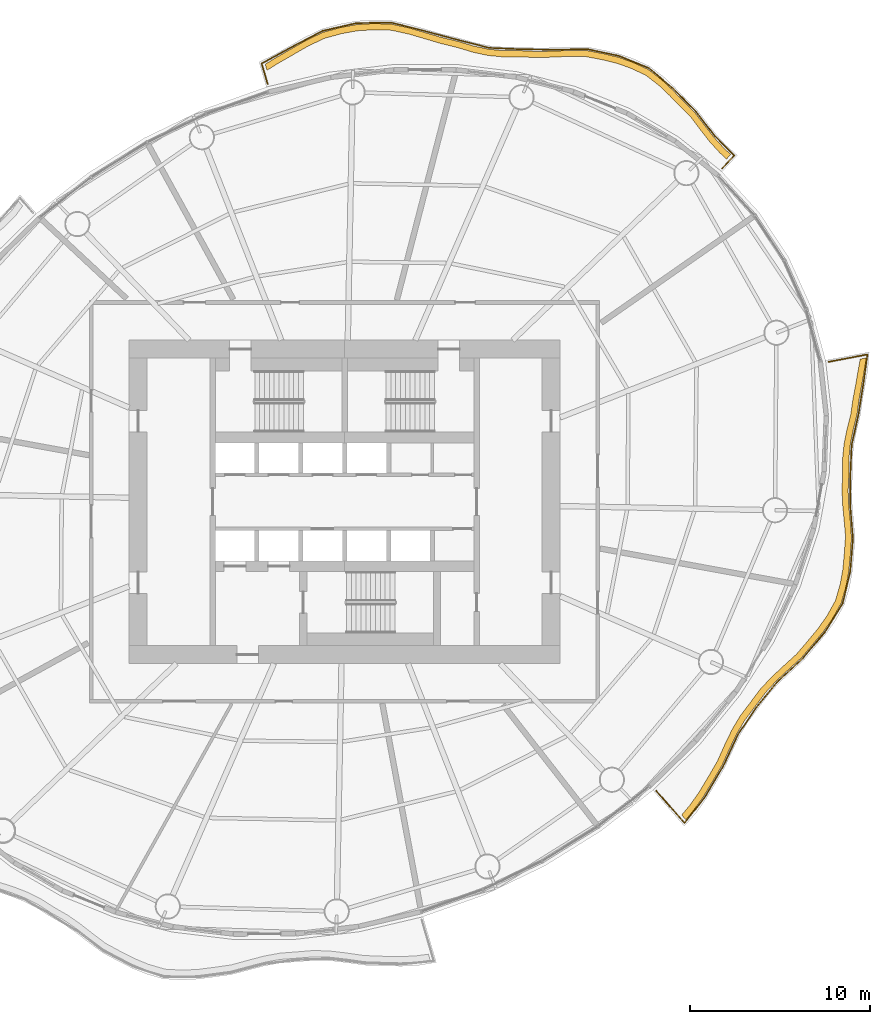
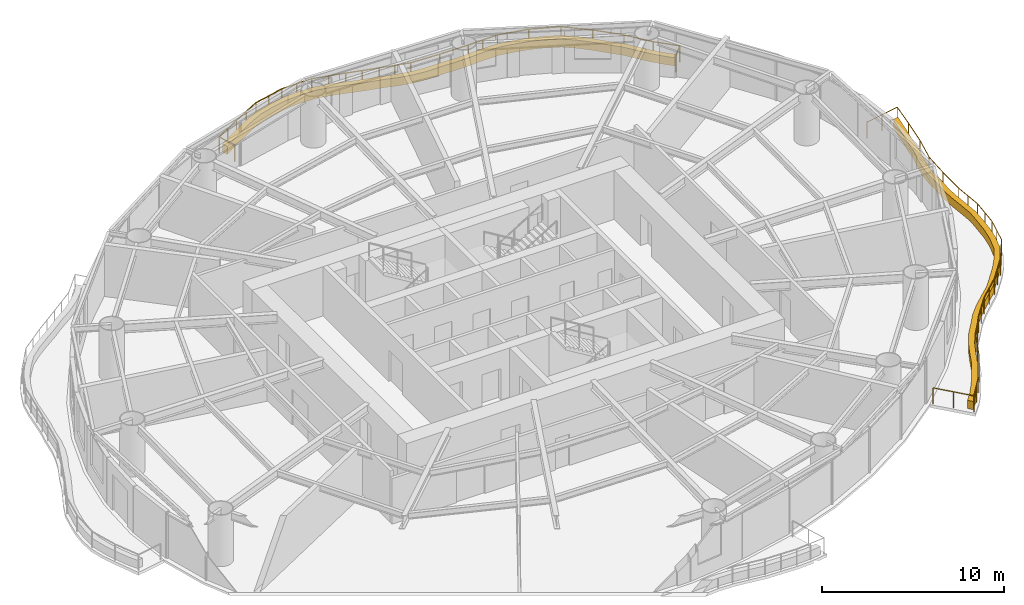
# One storey, part 14 of 14: 2 coverings, 2 railings.
"""IFC4 building model written with IfcOpenShell, lengths in metres."""

from ifc_helpers import new_model, si_unit, direction, frame, origin, origin_2d, place, context, subcontext, project, spatial, polyline, circle, outline, extrude, material, type_object, element, save


model = new_model("IFC4")

# Units and contexts
model_context = context("Model", 3, precision=1e-05, world=origin(), true_north=direction((0.0, 1.0)))
body_context = subcontext(model_context, "Body", "Model", "MODEL_VIEW")
ifc_project = project(units=[si_unit("LENGTHUNIT", "METRE"), si_unit("AREAUNIT", "SQUARE_METRE"), si_unit("VOLUMEUNIT", "CUBIC_METRE"), si_unit("PLANEANGLEUNIT", "RADIAN"), si_unit("MASSUNIT", "GRAM", prefix="KILO")], contexts=[model_context])

# Site, building, storey
site_placement = place(None, origin())
site = spatial("IfcSite", under=ifc_project, at=site_placement, CompositionType="ELEMENT")
building_placement = place(site_placement, origin())
building = spatial("IfcBuilding", under=site, at=building_placement, Name="Vermilion Reach Broadcast Tower", CompositionType="ELEMENT")
storey_placement = place(building_placement, frame((0.0, 0.0, 150.60009765625)))
storey = spatial("IfcBuildingStorey", under=building, at=storey_placement, Name="L35", CompositionType="ELEMENT", Elevation=150.60009765625)

# Coverings
ifc_material_1 = material(Name="Planting soil and greenery")
covering_type = type_object("IfcCoveringType", Name="Balcony PLANTER", PredefinedType="USERDEFINED", material=ifc_material_1)
placement = place(storey_placement, origin())
element("IfcCovering", 1, at=placement, inside=storey, type_object=covering_type, Name="PLANTER L35 group 1", ObjectType="PLANTER", PredefinedType="USERDEFINED", context=body_context, shape_type="SweptSolid", body=[
    extrude(outline(polyline([(15.491943359375, 19.33544921875), (15.087158203125, 19.72021484375), (14.558349609375, 20.300048828125), (14.06689453125, 20.926513671875), (13.506103515625, 21.659912109375), (12.83740234375, 22.326171875), (12.26708984375, 22.92041015625), (11.676513671875, 23.479736328125), (10.90673828125, 24.071533203125), (10.013427734375, 24.4833984375), (9.246337890625, 24.751220703125), (8.44873046875, 24.94287109375), (7.494140625, 25.126220703125), (6.490234375, 25.13525390625), (5.620849609375, 25.09521484375), (4.755859375, 25.07275390625), (3.828857421875, 25.1171875), (2.890625, 25.114990234375), (2.039794921875, 25.196044921875), (1.200439453125, 25.3720703125), (0.293212890625, 25.642822265625), (-0.660888671875, 25.86962890625), (-1.5361328125, 26.130859375), (-2.41162109375, 26.387939453125), (-3.418701171875, 26.603759765625), (-4.45361328125, 26.627685546875), (-5.345947265625, 26.57080078125), (-6.225830078125, 26.40966796875), (-7.219970703125, 26.13818359375), (-8.17333984375, 25.677001953125), (-8.994140625, 25.20556640625), (-9.8154296875, 24.735595703125), (-10.421142578125, 24.36083984375), (-10.322265625, 24.025146484375), (-9.735107421875, 24.39501953125), (-8.913818359375, 24.864990234375), (-8.093017578125, 25.33642578125), (-7.158935546875, 25.793701171875), (-6.184326171875, 26.062255859375), (-5.304443359375, 26.22314453125), (-4.412109375, 26.280029296875), (-3.397705078125, 26.25439453125), (-2.410888671875, 26.037841796875), (-1.53564453125, 25.78076171875), (-0.66015625, 25.519775390625), (0.2724609375, 25.29345703125), (1.158447265625, 25.024658203125), (1.997802734375, 24.8486328125), (2.8486328125, 24.767578125), (3.764404296875, 24.77294921875), (4.669677734375, 24.733642578125), (5.53466796875, 24.755859375), (6.404052734375, 24.7958984375), (7.38525390625, 24.793701171875), (8.317626953125, 24.618408203125), (9.115234375, 24.4267578125), (9.882080078125, 24.158935546875), (10.7529296875, 23.757080078125), (11.500732421875, 23.177001953125), (12.09130859375, 22.61767578125), (12.66162109375, 22.0234375), (13.30810546875, 21.371337890625), (13.84814453125, 20.6533203125), (14.33935546875, 20.02685546875), (14.868408203125, 19.447021484375), (15.252685546875, 19.079833984375), (15.491943359375, 19.33544921875)])), origin(), (0.0, 0.0, 1.0), 0.5498046875),
])
element("IfcCovering", 2, at=placement, inside=storey, type_object=covering_type, Name="PLANTER L35 group 4", ObjectType="PLANTER", PredefinedType="USERDEFINED", context=body_context, shape_type="SweptSolid", body=[
    extrude(outline(polyline([(12.992919921875, -17.692138671875), (13.47216796875, -17.12158203125), (14.00244140625, -16.366455078125), (14.4833984375, -15.560791015625), (15.009521484375, -14.66455078125), (15.431884765625, -13.733642578125), (15.8310546875, -12.9072265625), (16.291748046875, -12.130859375), (16.868896484375, -11.3701171875), (17.429443359375, -10.61669921875), (18.033447265625, -9.96435546875), (18.69482421875, -9.348388671875), (19.4443359375, -8.66015625), (20.08740234375, -7.900390625), (20.650390625, -7.22216796875), (21.153076171875, -6.51513671875), (21.644775390625, -5.628662109375), (21.922119140625, -4.677490234375), (22.068115234375, -3.848876953125), (22.146240234375, -2.998046875), (22.2197265625, -2.012451171875), (22.14599609375, -1.04541015625), (22.0654296875, -0.20556640625), (22.028564453125, 0.6259765625), (22.072509765625, 1.521728515625), (22.0693359375, 2.3916015625), (22.146240234375, 3.180908203125), (22.30029296875, 3.96728515625), (22.521728515625, 4.855712890625), (22.64501953125, 5.7548828125), (22.794189453125, 6.55126953125), (22.9306640625, 7.34619140625), (23.04345703125, 8.013671875), (22.69970703125, 7.948486328125), (22.582763671875, 7.3076171875), (22.4462890625, 6.5126953125), (22.297119140625, 5.716552734375), (22.171875, 4.843505859375), (21.95068359375, 3.98095703125), (21.796630859375, 3.194580078125), (21.7197265625, 2.4052734375), (21.724609375, 1.560302734375), (21.684326171875, 0.689208984375), (21.72119140625, -0.142333984375), (21.8017578125, -0.982177734375), (21.880615234375, -1.92626953125), (21.8134765625, -2.888916015625), (21.735595703125, -3.73974609375), (21.589599609375, -4.568359375), (21.31982421875, -5.49853515625), (20.837158203125, -6.364501953125), (20.33447265625, -7.071533203125), (19.771484375, -7.749755859375), (19.13818359375, -8.490478515625), (18.399658203125, -9.16015625), (17.73828125, -9.7763671875), (17.13427734375, -10.4287109375), (16.585205078125, -11.1650390625), (16.0205078125, -11.90966796875), (15.559814453125, -12.68603515625), (15.16064453125, -13.512451171875), (14.751220703125, -14.428466796875), (14.23876953125, -15.310302734375), (13.7578125, -16.115966796875), (13.2275390625, -16.871337890625), (12.76220703125, -17.428955078125), (12.992919921875, -17.692138671875)])), origin(), (0.0, 0.0, 1.0), 0.5498046875),
])

# Railings
ifc_material_2 = material(Name="Stainless steel 316 balustrade", Category="steel")
railing_type = type_object("IfcRailingType", Name="Balcony guard 1100", PredefinedType="BALUSTRADE", material=ifc_material_2)
railing_1_placement = place(storey_placement, frame((15.014404296875, 18.56298828125, 0.0)))
element("IfcRailing", 3, at=railing_1_placement, inside=storey, type_object=railing_type, Name="Balcony guard L35 group 1", PredefinedType="BALUSTRADE", context=body_context, shape_type="SweptSolid", body=[
    extrude(circle(Radius=0.02490234375, at=origin_2d()), frame((0.0, 0.0, 1.0751953125), z_axis=(0.68366052518, 0.729800168752, 0.0), x_axis=(-0.729800168752, 0.68366052518, 0.0)), (0.0, 0.0, 1.0), 0.984130859375),
    extrude(circle(Radius=0.02490234375, at=origin_2d()), frame((0.6728515625, 0.71826171875, 1.0751953125), z_axis=(-0.706387080187, 0.707825750411, 0.0), x_axis=(-0.707825750411, -0.706387080187, 0.0)), (0.0, 0.0, 1.0), 1.52734375),
    extrude(circle(Radius=0.02490234375, at=origin_2d()), frame((-0.406005859375, 1.79931640625, 1.0751953125), z_axis=(-0.612646799279, 0.79035681773, 0.0), x_axis=(-0.79035681773, -0.612646799279, 0.0)), (0.0, 0.0, 1.0), 1.7255859375),
    extrude(circle(Radius=0.02490234375, at=origin_2d()), frame((-1.463134765625, 3.1630859375, 1.0751953125), z_axis=(-0.701647273385, 0.712524458353, 0.0), x_axis=(-0.712524458353, -0.701647273385, 0.0)), (0.0, 0.0, 1.0), 1.773193359375),
    extrude(circle(Radius=0.02490234375, at=origin_2d()), frame((-2.707275390625, 4.426513671875, 1.0751953125), z_axis=(-0.763769523957, 0.645489050469, 0.0), x_axis=(-0.645489050469, -0.763769523957, 0.0)), (0.0, 0.0, 1.0), 1.78759765625),
    extrude(circle(Radius=0.02490234375, at=origin_2d()), frame((-4.072509765625, 5.580322265625, 1.0751953125), z_axis=(-0.925443198888, 0.378886375622, 0.0), x_axis=(-0.378886375622, -0.925443198888, 0.0)), (0.0, 0.0, 1.0), 1.7998046875),
    extrude(circle(Radius=0.02490234375, at=origin_2d()), frame((-5.738037109375, 6.26220703125, 1.0751953125), z_axis=(-0.977730795894, 0.209863028571, 0.0), x_axis=(-0.209863028571, -0.977730795894, 0.0)), (0.0, 0.0, 1.0), 1.79736328125),
    extrude(circle(Radius=0.02490234375, at=origin_2d()), frame((-7.495361328125, 6.639404296875, 1.0751953125), z_axis=(-0.999874341882, -0.015852458702, 0.0), x_axis=(0.015852458702, -0.999874341882, 0.0)), (0.0, 0.0, 1.0), 1.87890625),
    extrude(circle(Radius=0.02490234375, at=origin_2d()), frame((-9.3740234375, 6.609619140625, 1.0751953125), z_axis=(-0.999916707227, 0.012906533585, 0.0), x_axis=(-0.012906533585, -0.999916707227, 0.0)), (0.0, 0.0, 1.0), 1.797119140625),
    extrude(circle(Radius=0.02490234375, at=origin_2d()), frame((-11.1708984375, 6.6328125, 1.0751953125), z_axis=(-0.999017554796, 0.04431619579, 0.0), x_axis=(-0.04431619579, -0.999017554796, 0.0)), (0.0, 0.0, 1.0), 1.7958984375),
    extrude(circle(Radius=0.02490234375, at=origin_2d()), frame((-12.965087890625, 6.71240234375, 1.0751953125), z_axis=(-0.968906689199, 0.247426408505, 0.0), x_axis=(-0.247426408505, -0.968906689199, 0.0)), (0.0, 0.0, 1.0), 1.8076171875),
    extrude(circle(Radius=0.02490234375, at=origin_2d()), frame((-14.716552734375, 7.15966796875, 1.0751953125), z_axis=(-0.966345860791, 0.257246335895, 0.0), x_axis=(-0.257246335895, -0.966345860791, 0.0)), (0.0, 0.0, 1.0), 1.898193359375),
    extrude(circle(Radius=0.02490234375, at=origin_2d()), frame((-16.55078125, 7.64794921875, 1.0751953125), z_axis=(-0.970039067223, 0.242948982425, 0.0), x_axis=(-0.242948982425, -0.970039067223, 0.0)), (0.0, 0.0, 1.0), 1.945556640625),
    extrude(circle(Radius=0.02490234375, at=origin_2d()), frame((-18.43798828125, 8.12060546875, 1.0751953125), z_axis=(-0.999850120949, -0.017312874946, 0.0), x_axis=(0.017312874946, -0.999850120949, 0.0)), (0.0, 0.0, 1.0), 1.931884765625),
    extrude(circle(Radius=0.02490234375, at=origin_2d()), frame((-20.36962890625, 8.087158203125, 1.0751953125), z_axis=(-0.974440260515, -0.224646786505, 0.0), x_axis=(0.224646786505, -0.974440260515, 0.0)), (0.0, 0.0, 1.0), 1.927978515625),
    extrude(circle(Radius=0.02490234375, at=origin_2d()), frame((-22.248291015625, 7.654052734375, 1.0751953125), z_axis=(-0.885429164549, -0.464774348008, 0.0), x_axis=(0.464774348008, -0.885429164549, 0.0)), (0.0, 0.0, 1.0), 2.0087890625),
    extrude(circle(Radius=0.02490234375, at=origin_2d()), frame((-24.02685546875, 6.720458984375, 1.0751953125), z_axis=(-0.875371927566, -0.483450088871, 0.0), x_axis=(0.483450088871, -0.875371927566, 0.0)), (0.0, 0.0, 1.0), 1.835205078125),
    extrude(circle(Radius=0.02490234375, at=origin_2d()), frame((-25.63330078125, 5.833251953125, 1.0751953125), z_axis=(0.282267304727, -0.959335795581, 0.0), x_axis=(0.959335795581, 0.282267304727, 0.0)), (0.0, 0.0, 1.0), 1.177978515625),
    extrude(circle(Radius=0.02490234375, at=origin_2d()), origin(), (0.0, 0.0, 1.0), 1.050048828125),
    extrude(circle(Radius=0.02490234375, at=origin_2d()), frame((0.6728515625, 0.71826171875, 0.0)), (0.0, 0.0, 1.0), 1.050048828125),
    extrude(circle(Radius=0.02490234375, at=origin_2d()), frame((-0.406005859375, 1.79931640625, 0.0)), (0.0, 0.0, 1.0), 1.050048828125),
    extrude(circle(Radius=0.02490234375, at=origin_2d()), frame((-1.463134765625, 3.1630859375, 0.0)), (0.0, 0.0, 1.0), 1.050048828125),
    extrude(circle(Radius=0.02490234375, at=origin_2d()), frame((-2.707275390625, 4.426513671875, 0.0)), (0.0, 0.0, 1.0), 1.050048828125),
    extrude(circle(Radius=0.02490234375, at=origin_2d()), frame((-4.072509765625, 5.580322265625, 0.0)), (0.0, 0.0, 1.0), 1.050048828125),
    extrude(circle(Radius=0.02490234375, at=origin_2d()), frame((-5.738037109375, 6.26220703125, 0.0)), (0.0, 0.0, 1.0), 1.050048828125),
    extrude(circle(Radius=0.02490234375, at=origin_2d()), frame((-7.495361328125, 6.639404296875, 0.0)), (0.0, 0.0, 1.0), 1.050048828125),
    extrude(circle(Radius=0.02490234375, at=origin_2d()), frame((-8.4345703125, 6.62451171875, 0.0)), (0.0, 0.0, 1.0), 1.050048828125),
    extrude(circle(Radius=0.02490234375, at=origin_2d()), frame((-9.3740234375, 6.609619140625, 0.0)), (0.0, 0.0, 1.0), 1.050048828125),
    extrude(circle(Radius=0.02490234375, at=origin_2d()), frame((-11.1708984375, 6.6328125, 0.0)), (0.0, 0.0, 1.0), 1.050048828125),
    extrude(circle(Radius=0.02490234375, at=origin_2d()), frame((-12.965087890625, 6.71240234375, 0.0)), (0.0, 0.0, 1.0), 1.050048828125),
    extrude(circle(Radius=0.02490234375, at=origin_2d()), frame((-13.8408203125, 6.93603515625, 0.0)), (0.0, 0.0, 1.0), 1.050048828125),
    extrude(circle(Radius=0.02490234375, at=origin_2d()), frame((-14.716552734375, 7.15966796875, 0.0)), (0.0, 0.0, 1.0), 1.050048828125),
    extrude(circle(Radius=0.02490234375, at=origin_2d()), frame((-15.6337890625, 7.40380859375, 0.0)), (0.0, 0.0, 1.0), 1.050048828125),
    extrude(circle(Radius=0.02490234375, at=origin_2d()), frame((-16.55078125, 7.64794921875, 0.0)), (0.0, 0.0, 1.0), 1.050048828125),
    extrude(circle(Radius=0.02490234375, at=origin_2d()), frame((-17.494384765625, 7.88427734375, 0.0)), (0.0, 0.0, 1.0), 1.050048828125),
    extrude(circle(Radius=0.02490234375, at=origin_2d()), frame((-18.43798828125, 8.12060546875, 0.0)), (0.0, 0.0, 1.0), 1.050048828125),
    extrude(circle(Radius=0.02490234375, at=origin_2d()), frame((-19.40380859375, 8.10400390625, 0.0)), (0.0, 0.0, 1.0), 1.050048828125),
    extrude(circle(Radius=0.02490234375, at=origin_2d()), frame((-20.36962890625, 8.087158203125, 0.0)), (0.0, 0.0, 1.0), 1.050048828125),
    extrude(circle(Radius=0.02490234375, at=origin_2d()), frame((-21.30908203125, 7.87060546875, 0.0)), (0.0, 0.0, 1.0), 1.050048828125),
    extrude(circle(Radius=0.02490234375, at=origin_2d()), frame((-22.248291015625, 7.654052734375, 0.0)), (0.0, 0.0, 1.0), 1.050048828125),
    extrude(circle(Radius=0.02490234375, at=origin_2d()), frame((-23.1376953125, 7.187255859375, 0.0)), (0.0, 0.0, 1.0), 1.050048828125),
    extrude(circle(Radius=0.02490234375, at=origin_2d()), frame((-24.02685546875, 6.720458984375, 0.0)), (0.0, 0.0, 1.0), 1.050048828125),
    extrude(circle(Radius=0.02490234375, at=origin_2d()), frame((-24.830078125, 6.27685546875, 0.0)), (0.0, 0.0, 1.0), 1.050048828125),
    extrude(circle(Radius=0.02490234375, at=origin_2d()), frame((-25.63330078125, 5.833251953125, 0.0)), (0.0, 0.0, 1.0), 1.050048828125),
    extrude(circle(Radius=0.02490234375, at=origin_2d()), frame((-25.30078125, 4.703125, 0.0)), (0.0, 0.0, 1.0), 1.050048828125),
])
railing_2_placement = place(storey_placement, frame((11.34765625, -16.085693359375, 0.0)))
element("IfcRailing", 4, at=railing_2_placement, inside=storey, type_object=railing_type, Name="Balcony guard L35 group 4", PredefinedType="BALUSTRADE", context=body_context, shape_type="SweptSolid", body=[
    extrude(circle(Radius=0.02490234375, at=origin_2d()), frame((0.0, 0.0, 1.0751953125), z_axis=(0.658664214044, -0.752437009415, 0.0), x_axis=(0.752437009415, 0.658664214044, 0.0)), (0.0, 0.0, 1.0), 2.38232421875),
    extrude(circle(Radius=0.02490234375, at=origin_2d()), frame((1.569091796875, -1.79248046875, 1.0751953125), z_axis=(0.617389954187, 0.786657259847, 0.0), x_axis=(-0.786657259847, 0.617389954187, 0.0)), (0.0, 0.0, 1.0), 1.84912109375),
    extrude(circle(Radius=0.02490234375, at=origin_2d()), frame((2.710693359375, -0.337890625, 1.0751953125), z_axis=(0.509741609177, 0.860327549177, 0.0), x_axis=(-0.860327549177, 0.509741609177, 0.0)), (0.0, 0.0, 1.0), 1.98193359375),
    extrude(circle(Radius=0.02490234375, at=origin_2d()), frame((3.720947265625, 1.3671875, 1.0751953125), z_axis=(0.424060639494, 0.905633796869, 0.0), x_axis=(-0.905633796869, 0.424060639494, 0.0)), (0.0, 0.0, 1.0), 1.944091796875),
    extrude(circle(Radius=0.02490234375, at=origin_2d()), frame((4.54541015625, 3.1279296875, 1.0751953125), z_axis=(0.559750203287, 0.828661396422, 0.0), x_axis=(-0.828661396422, 0.559750203287, 0.0)), (0.0, 0.0, 1.0), 1.859375),
    extrude(circle(Radius=0.02490234375, at=origin_2d()), frame((5.586181640625, 4.668701171875, 1.0751953125), z_axis=(0.637766986735, 0.770229362353, 0.0), x_axis=(-0.770229362353, 0.637766986735, 0.0)), (0.0, 0.0, 1.0), 1.830078125),
    extrude(circle(Radius=0.02490234375, at=origin_2d()), frame((6.75341796875, 6.078369140625, 1.0751953125), z_axis=(0.733835566923, 0.679327138217, 0.0), x_axis=(-0.679327138217, 0.733835566923, 0.0)), (0.0, 0.0, 1.0), 1.926025390625),
    extrude(circle(Radius=0.02490234375, at=origin_2d()), frame((8.166748046875, 7.38671875, 1.0751953125), z_axis=(0.642147743814, 0.766580899263, 0.0), x_axis=(-0.766580899263, 0.642147743814, 0.0)), (0.0, 0.0, 1.0), 1.881591796875),
    extrude(circle(Radius=0.02490234375, at=origin_2d()), frame((9.375, 8.8291015625, 1.0751953125), z_axis=(0.529136429612, 0.84853676341, 0.0), x_axis=(-0.84853676341, 0.529136429612, 0.0)), (0.0, 0.0, 1.0), 1.88330078125),
    extrude(circle(Radius=0.02490234375, at=origin_2d()), frame((10.37158203125, 10.42724609375, 1.0751953125), z_axis=(0.231686493967, 0.972790505974, 0.0), x_axis=(-0.972790505974, 0.231686493967, 0.0)), (0.0, 0.0, 1.0), 1.83447265625),
    extrude(circle(Radius=0.02490234375, at=origin_2d()), frame((10.796630859375, 12.2119140625, 1.0751953125), z_axis=(0.082837734514, 0.996563048553, 0.0), x_axis=(-0.996563048553, 0.082837734514, 0.0)), (0.0, 0.0, 1.0), 1.847900390625),
    extrude(circle(Radius=0.02490234375, at=origin_2d()), frame((10.94970703125, 14.053466796875, 1.0751953125), z_axis=(-0.084167475058, 0.99645162258, 0.0), x_axis=(-0.99645162258, -0.084167475058, 0.0)), (0.0, 0.0, 1.0), 1.818603515625),
    extrude(circle(Radius=0.02490234375, at=origin_2d()), frame((10.796630859375, 15.86572265625, 1.0751953125), z_axis=(0.004508266386, 0.999989837715, 0.0), x_axis=(-0.999989837715, 0.004508266386, 0.0)), (0.0, 0.0, 1.0), 1.73291015625),
    extrude(circle(Radius=0.02490234375, at=origin_2d()), frame((10.804443359375, 17.5986328125, 1.0751953125), z_axis=(0.044537080292, 0.999007731942, 0.0), x_axis=(-0.999007731942, 0.044537080292, 0.0)), (0.0, 0.0, 1.0), 1.66650390625),
    extrude(circle(Radius=0.02490234375, at=origin_2d()), frame((10.878662109375, 19.263427734375, 1.0751953125), z_axis=(0.217875938789, 0.975976472717, 0.0), x_axis=(-0.975976472717, 0.217875938789, 0.0)), (0.0, 0.0, 1.0), 1.72216796875),
    extrude(circle(Radius=0.02490234375, at=origin_2d()), frame((11.25390625, 20.9443359375, 1.0751953125), z_axis=(0.157846816244, 0.987463610773, 0.0), x_axis=(-0.987463610773, 0.157846816244, 0.0)), (0.0, 0.0, 1.0), 1.722900390625),
    extrude(circle(Radius=0.02490234375, at=origin_2d()), frame((11.52587890625, 22.645751953125, 1.0751953125), z_axis=(0.137556369032, 0.990493940082, 0.0), x_axis=(-0.990493940082, 0.137556369032, 0.0)), (0.0, 0.0, 1.0), 1.6630859375),
    extrude(circle(Radius=0.02490234375, at=origin_2d()), frame((11.754638671875, 24.29296875, 1.0751953125), z_axis=(-0.982524902241, -0.186131180828, 0.0), x_axis=(0.186131180828, -0.982524902241, 0.0)), (0.0, 0.0, 1.0), 2.20751953125),
    extrude(circle(Radius=0.02490234375, at=origin_2d()), origin(), (0.0, 0.0, 1.0), 1.050048828125),
    extrude(circle(Radius=0.02490234375, at=origin_2d()), frame((0.78466796875, -0.896240234375, 0.0)), (0.0, 0.0, 1.0), 1.050048828125),
    extrude(circle(Radius=0.02490234375, at=origin_2d()), frame((1.569091796875, -1.79248046875, 0.0)), (0.0, 0.0, 1.0), 1.050048828125),
    extrude(circle(Radius=0.02490234375, at=origin_2d()), frame((2.139892578125, -1.065185546875, 0.0)), (0.0, 0.0, 1.0), 1.050048828125),
    extrude(circle(Radius=0.02490234375, at=origin_2d()), frame((2.710693359375, -0.337890625, 0.0)), (0.0, 0.0, 1.0), 1.050048828125),
    extrude(circle(Radius=0.02490234375, at=origin_2d()), frame((3.2158203125, 0.5146484375, 0.0)), (0.0, 0.0, 1.0), 1.050048828125),
    extrude(circle(Radius=0.02490234375, at=origin_2d()), frame((3.720947265625, 1.3671875, 0.0)), (0.0, 0.0, 1.0), 1.050048828125),
    extrude(circle(Radius=0.02490234375, at=origin_2d()), frame((4.13330078125, 2.24755859375, 0.0)), (0.0, 0.0, 1.0), 1.050048828125),
    extrude(circle(Radius=0.02490234375, at=origin_2d()), frame((4.54541015625, 3.1279296875, 0.0)), (0.0, 0.0, 1.0), 1.050048828125),
    extrude(circle(Radius=0.02490234375, at=origin_2d()), frame((5.06591796875, 3.8984375, 0.0)), (0.0, 0.0, 1.0), 1.050048828125),
    extrude(circle(Radius=0.02490234375, at=origin_2d()), frame((5.586181640625, 4.668701171875, 0.0)), (0.0, 0.0, 1.0), 1.050048828125),
    extrude(circle(Radius=0.02490234375, at=origin_2d()), frame((6.169921875, 5.37353515625, 0.0)), (0.0, 0.0, 1.0), 1.050048828125),
    extrude(circle(Radius=0.02490234375, at=origin_2d()), frame((6.75341796875, 6.078369140625, 0.0)), (0.0, 0.0, 1.0), 1.050048828125),
    extrude(circle(Radius=0.02490234375, at=origin_2d()), frame((7.4599609375, 6.732421875, 0.0)), (0.0, 0.0, 1.0), 1.050048828125),
    extrude(circle(Radius=0.02490234375, at=origin_2d()), frame((8.166748046875, 7.38671875, 0.0)), (0.0, 0.0, 1.0), 1.050048828125),
    extrude(circle(Radius=0.02490234375, at=origin_2d()), frame((8.77099609375, 8.10791015625, 0.0)), (0.0, 0.0, 1.0), 1.050048828125),
    extrude(circle(Radius=0.02490234375, at=origin_2d()), frame((9.375, 8.8291015625, 0.0)), (0.0, 0.0, 1.0), 1.050048828125),
    extrude(circle(Radius=0.02490234375, at=origin_2d()), frame((9.873291015625, 9.628173828125, 0.0)), (0.0, 0.0, 1.0), 1.050048828125),
    extrude(circle(Radius=0.02490234375, at=origin_2d()), frame((10.37158203125, 10.42724609375, 0.0)), (0.0, 0.0, 1.0), 1.050048828125),
    extrude(circle(Radius=0.02490234375, at=origin_2d()), frame((10.583984375, 11.319580078125, 0.0)), (0.0, 0.0, 1.0), 1.050048828125),
    extrude(circle(Radius=0.02490234375, at=origin_2d()), frame((10.796630859375, 12.2119140625, 0.0)), (0.0, 0.0, 1.0), 1.050048828125),
    extrude(circle(Radius=0.02490234375, at=origin_2d()), frame((10.873046875, 13.1328125, 0.0)), (0.0, 0.0, 1.0), 1.050048828125),
    extrude(circle(Radius=0.02490234375, at=origin_2d()), frame((10.94970703125, 14.053466796875, 0.0)), (0.0, 0.0, 1.0), 1.050048828125),
    extrude(circle(Radius=0.02490234375, at=origin_2d()), frame((10.873046875, 14.95947265625, 0.0)), (0.0, 0.0, 1.0), 1.050048828125),
    extrude(circle(Radius=0.02490234375, at=origin_2d()), frame((10.796630859375, 15.86572265625, 0.0)), (0.0, 0.0, 1.0), 1.050048828125),
    extrude(circle(Radius=0.02490234375, at=origin_2d()), frame((10.804443359375, 17.5986328125, 0.0)), (0.0, 0.0, 1.0), 1.050048828125),
    extrude(circle(Radius=0.02490234375, at=origin_2d()), frame((10.878662109375, 19.263427734375, 0.0)), (0.0, 0.0, 1.0), 1.050048828125),
    extrude(circle(Radius=0.02490234375, at=origin_2d()), frame((11.25390625, 20.9443359375, 0.0)), (0.0, 0.0, 1.0), 1.050048828125),
    extrude(circle(Radius=0.02490234375, at=origin_2d()), frame((11.52587890625, 22.645751953125, 0.0)), (0.0, 0.0, 1.0), 1.050048828125),
    extrude(circle(Radius=0.02490234375, at=origin_2d()), frame((11.754638671875, 24.29296875, 0.0)), (0.0, 0.0, 1.0), 1.050048828125),
    extrude(circle(Radius=0.02490234375, at=origin_2d()), frame((10.670166015625, 24.08740234375, 0.0)), (0.0, 0.0, 1.0), 1.050048828125),
    extrude(circle(Radius=0.02490234375, at=origin_2d()), frame((9.585693359375, 23.882080078125, 0.0)), (0.0, 0.0, 1.0), 1.050048828125),
])

save(model, "model.ifc")
